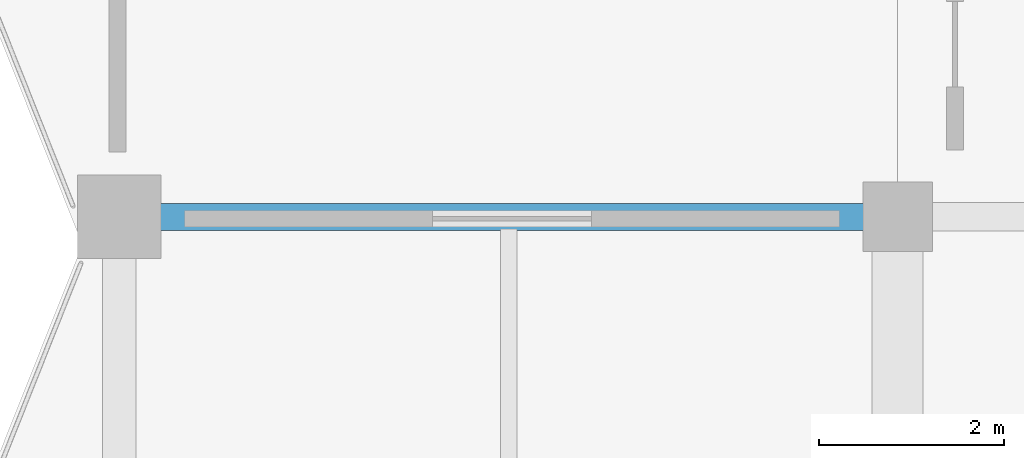
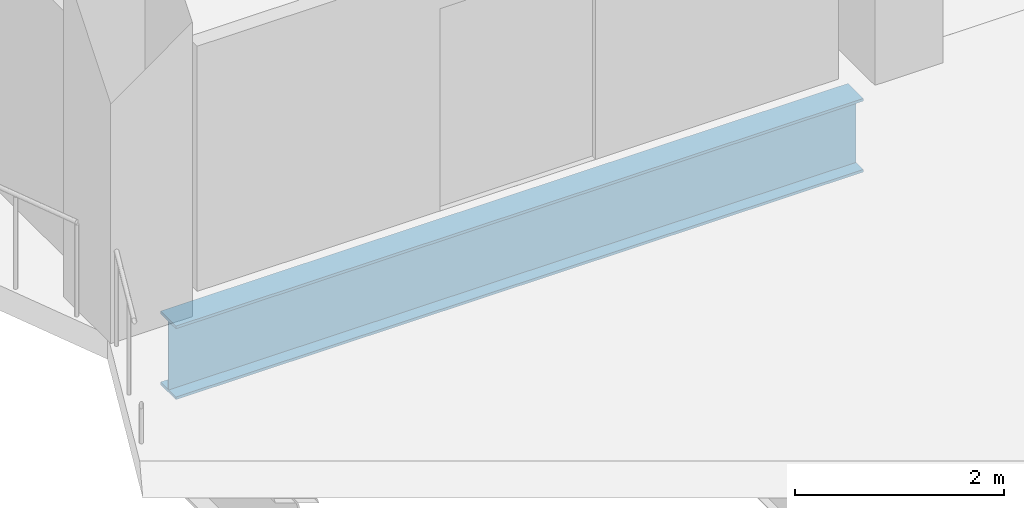
# One storey, part 25 of 52: 1 beam.
"""IFC4 building model written with IfcOpenShell, lengths in metres."""

from ifc_helpers import new_model, si_unit, direction, frame, origin, origin_2d, place, context, subcontext, project, spatial, i_section, extrude, material, material_profile, profile_set, type_object, element, save


model = new_model("IFC4")

# Units and contexts
model_context = context("Model", 3, precision=1e-05, world=origin(), true_north=direction((0.0, 1.0)))
body_context = subcontext(model_context, "Body", "Model", "MODEL_VIEW")
ifc_project = project(units=[si_unit("LENGTHUNIT", "METRE"), si_unit("AREAUNIT", "SQUARE_METRE"), si_unit("VOLUMEUNIT", "CUBIC_METRE"), si_unit("PLANEANGLEUNIT", "RADIAN"), si_unit("MASSUNIT", "GRAM", prefix="KILO")], contexts=[model_context])

# Site, building, storey
site_placement = place(None, origin())
site = spatial("IfcSite", under=ifc_project, at=site_placement, CompositionType="ELEMENT")
building_placement = place(site_placement, origin())
building = spatial("IfcBuilding", under=site, at=building_placement, Name="Solvento Point Concert Hall", CompositionType="ELEMENT")
storey_placement = place(building_placement, frame((0.0, 0.0, 19.5)))
storey = spatial("IfcBuildingStorey", under=building, at=storey_placement, Name="L04", CompositionType="ELEMENT", Elevation=19.5)

# Beam
ifc_material = material(Name="Structural Steel ASTM A992 Grade 50", Category="steel")
ifc_material_profile = material_profile(ifc_material, i_section(OverallWidth=0.2919921875, OverallDepth=0.85888671875, WebThickness=0.01708984375, FlangeThickness=0.031005859375, at=origin_2d()), Name="W33X169")
ifc_profile_set = profile_set([ifc_material_profile], Name="Structural Steel ASTM A992 Grade 50")
beam_type = type_object("IfcBeamType", Name="Girder_W33X169", PredefinedType="USERDEFINED", material=ifc_profile_set)
beam_placement = place(storey_placement, frame((74.843994140625, 42.5, -0.723388671875), z_axis=(1.0, 0.0, 0.0), x_axis=(0.0, 1.0, 0.0)))
element("IfcBeam", 1, at=beam_placement, inside=storey, type_object=beam_type, Name="Primary girder B-33 L04", ObjectType="GIRDER", PredefinedType="USERDEFINED", context=body_context, shape_type="SweptSolid", body=[
    extrude(i_section(OverallWidth=0.2919921875, OverallDepth=0.85888671875, WebThickness=0.01708984375, FlangeThickness=0.031005859375, at=origin_2d()), origin(), (0.0, 0.0, 1.0), 7.5869140625),
])

save(model, "model.ifc")
